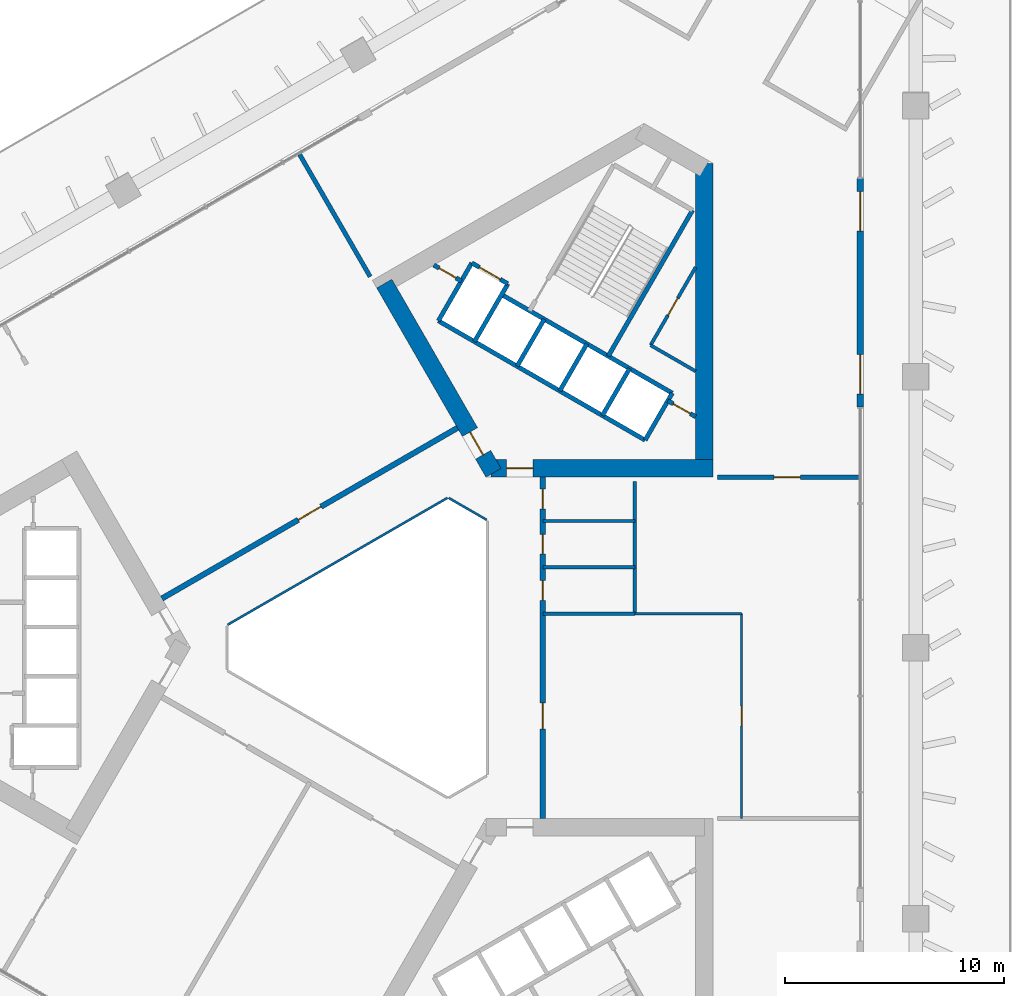
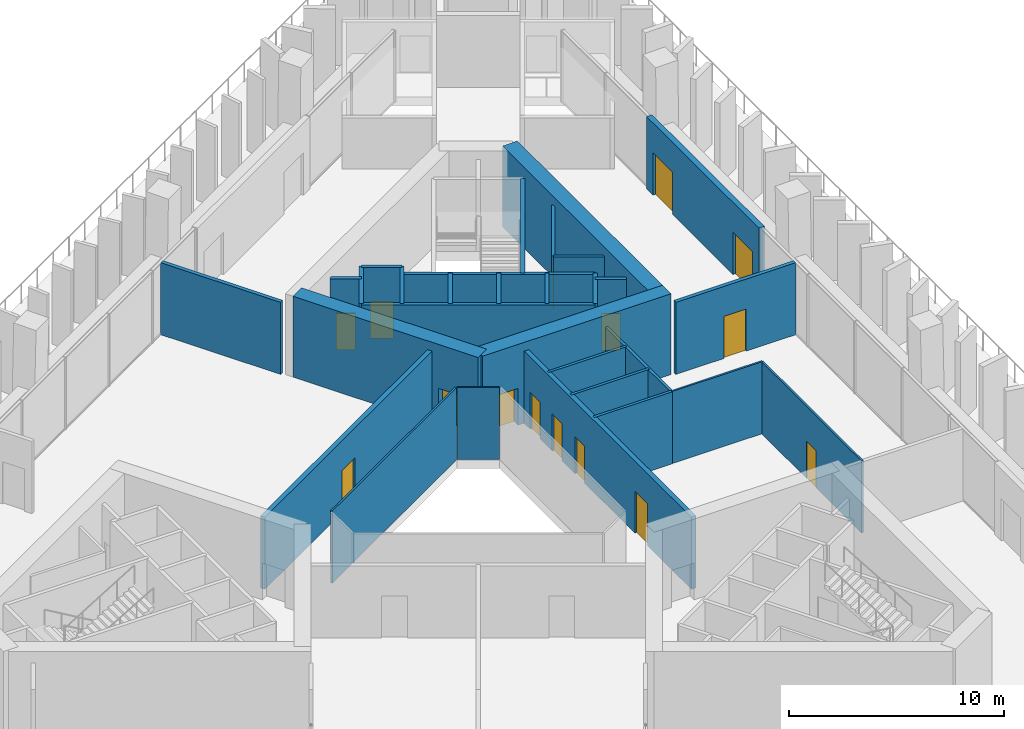
# One storey, part 18 of 31: 30 walls, 15 doors, 15 openings.
"""IFC4 building model written with IfcOpenShell, lengths in metres."""

from ifc_helpers import new_model, si_unit, direction, frame, frame_2d, origin, place, context, subcontext, project, spatial, rectangle, extrude, material, layer, layer_set, type_object, element, fill, save


model = new_model("IFC4")

# Units and contexts
model_context = context("Model", 3, precision=1e-05, world=origin(), true_north=direction((0.0, 1.0)))
body_context = subcontext(model_context, "Body", "Model", "MODEL_VIEW")
ifc_project = project(units=[si_unit("LENGTHUNIT", "METRE"), si_unit("AREAUNIT", "SQUARE_METRE"), si_unit("VOLUMEUNIT", "CUBIC_METRE"), si_unit("PLANEANGLEUNIT", "RADIAN"), si_unit("MASSUNIT", "GRAM", prefix="KILO")], contexts=[model_context])

# Site, building, storey
site_placement = place(None, origin())
site = spatial("IfcSite", under=ifc_project, at=site_placement, CompositionType="ELEMENT")
building_placement = place(site_placement, origin())
building = spatial("IfcBuilding", under=site, at=building_placement, Name="Jabali Bay Hotel Tower and Convention Centre", CompositionType="ELEMENT")
storey_placement = place(building_placement, frame((0.0, 0.0, 25.39990234375)))
storey = spatial("IfcBuildingStorey", under=building, at=storey_placement, Name="L04", CompositionType="ELEMENT", Elevation=25.39990234375)

# Walls
ifc_material_1 = material(Name="Fire-resistant glazing", Category="glass")
ifc_layer_1 = layer(ifc_material_1, 0.10009765625)
ifc_layer_set_1 = layer_set([ifc_layer_1], Name="Fire-resistant glazing")
wall_type_1 = type_object("IfcWallType", Name="Atrium glazed screen 100", PredefinedType="PARTITIONING", material=ifc_layer_set_1)
wall_1_placement = place(storey_placement, frame((79.530029296875, 85.84619140625, 0.0), z_axis=(0.0, 0.0, 1.0), x_axis=(-0.866041268327, 0.499972520799, 0.0)))
element("IfcWall", 1, at=wall_1_placement, inside=storey, type_object=wall_type_1, Name="Atrium screen 2 L04", PredefinedType="PARTITIONING", context=body_context, shape_type="SweptSolid", body=[
    extrude(rectangle(XDim=2.0, YDim=0.10009765625, at=frame_2d((1.0, 0.0))), origin(), (0.0, 0.0, 1.0), 4.10009765625),
])
wall_2_placement = place(storey_placement, frame((77.738037109375, 86.84619140625, 0.0), z_axis=(0.0, 0.0, 1.0), x_axis=(-0.866026658274, -0.499997827154, 0.0)))
element("IfcWall", 2, at=wall_2_placement, inside=storey, type_object=wall_type_1, Name="Atrium screen 3 L04", PredefinedType="PARTITIONING", context=body_context, shape_type="SweptSolid", body=[
    extrude(rectangle(XDim=11.58837890625, YDim=0.10009765625, at=frame_2d((5.794189453125, 0.0))), origin(), (0.0, 0.0, 1.0), 4.10009765625),
])

# Wall, opening, door
ifc_material_2 = material(Name="Concrete C40", Category="concrete")
ifc_layer_2 = layer(ifc_material_2, 0.199951171875)
ifc_layer_set_2 = layer_set([ifc_layer_2], Name="Concrete C40")
wall_type_2 = type_object("IfcWallType", Name="Core partition wall 200", PredefinedType="PARTITIONING", material=ifc_layer_set_2)
wall_3_placement = place(storey_placement, frame((89.080078125, 90.553955078125, 0.0), z_axis=(0.0, 0.0, 1.0), x_axis=(-0.866022048785, 0.500005810984, 0.0)))
wall_3 = element("IfcWall", 3, at=wall_3_placement, inside=storey, type_object=wall_type_2, Name="Core wall 1.11 L04", PredefinedType="PARTITIONING", context=body_context, shape_type="SweptSolid", body=[
    extrude(rectangle(XDim=1.466796875, YDim=0.199951171875, at=frame_2d((0.7333984375, 0.0))), origin(), (0.0, 0.0, 1.0), 4.10009765625),
])
opening_1_placement = place(wall_3_placement, frame((0.283447265625, 0.0, 0.0)))
opening_1 = element("IfcOpeningElement", 4, at=opening_1_placement, cuts=wall_3, Name="Opening D189", PredefinedType="OPENING", context=body_context, shape_type="SweptSolid", body=[
    extrude(rectangle(XDim=0.89990234375, YDim=2.10009765625, at=frame_2d((0.449951171875, 1.050048828125))), frame((0.0, 0.1103515625, 0.0), z_axis=(0.0, -1.0, 0.0), x_axis=(1.0, 0.0, 0.0)), (0.0, 0.0, 1.0), 0.220947265625),
])
ifc_material_3 = material(Name="Fire-rated steel door", Category="steel")
door_type_1 = type_object("IfcDoorType", Name="Vestibule fire door 900 x 2100", OperationType="NOTDEFINED", PredefinedType="NOTDEFINED", material=ifc_material_3)
door_1_placement = place(opening_1_placement, origin())
door_1 = element("IfcDoor", 5, at=door_1_placement, inside=storey, type_object=door_type_1, Name="Vestibule fire door D189", OperationType="SINGLE_SWING_LEFT", OverallHeight=2.10009765625, OverallWidth=0.89990234375, PredefinedType="NOTDEFINED", context=body_context, shape_type="SweptSolid", body=[
    extrude(rectangle(XDim=0.89990234375, YDim=2.10009765625, at=frame_2d((0.449951171875, 1.050048828125))), frame((0.0, 0.02490234375, 0.0), z_axis=(0.0, -1.0, 0.0), x_axis=(1.0, 0.0, 0.0)), (0.0, 0.0, 1.0), 0.050048828125),
])
fill(opening_1, door_1)

wall_4_placement = place(storey_placement, frame((78.380126953125, 96.754638671875, 0.0), z_axis=(0.0, 0.0, 1.0), x_axis=(-0.866003949776, 0.500037157592, 0.0)))
wall_4 = element("IfcWall", 6, at=wall_4_placement, inside=storey, type_object=wall_type_2, Name="Core wall 1.12 L04", PredefinedType="PARTITIONING", context=body_context, shape_type="SweptSolid", body=[
    extrude(rectangle(XDim=1.455078125, YDim=0.199951171875, at=frame_2d((0.7275390625, 0.0))), origin(), (0.0, 0.0, 1.0), 4.10009765625),
])
opening_2_placement = place(wall_4_placement, frame((0.277587890625, 0.0, 0.0)))
opening_2 = element("IfcOpeningElement", 7, at=opening_2_placement, cuts=wall_4, Name="Opening D188", PredefinedType="OPENING", context=body_context, shape_type="SweptSolid", body=[
    extrude(rectangle(XDim=0.89990234375, YDim=2.10009765625, at=frame_2d((0.449951171875, 1.050048828125))), frame((0.0, 0.1103515625, 0.0), z_axis=(0.0, -1.0, 0.0), x_axis=(1.0, 0.0, 0.0)), (0.0, 0.0, 1.0), 0.220947265625),
])
door_2_placement = place(opening_2_placement, origin())
door_2 = element("IfcDoor", 8, at=door_2_placement, inside=storey, type_object=door_type_1, Name="Vestibule fire door D188", OperationType="SINGLE_SWING_LEFT", OverallHeight=2.10009765625, OverallWidth=0.89990234375, PredefinedType="NOTDEFINED", context=body_context, shape_type="SweptSolid", body=[
    extrude(rectangle(XDim=0.89990234375, YDim=2.10009765625, at=frame_2d((0.449951171875, 1.050048828125))), frame((0.0, 0.02490234375, 0.0), z_axis=(0.0, -1.0, 0.0), x_axis=(1.0, 0.0, 0.0)), (0.0, 0.0, 1.0), 0.050048828125),
])
fill(opening_2, door_2)

ifc_material_4 = material(Name="Fire-rated board partition")
ifc_layer_3 = layer(ifc_material_4, 0.14990234375)
ifc_layer_set_3 = layer_set([ifc_layer_3], Name="Fire-rated board partition")
wall_type_3 = type_object("IfcWallType", Name="Core room partition 150", PredefinedType="PARTITIONING", material=ifc_layer_set_3)
wall_5_placement = place(storey_placement, frame((87.02099609375, 93.821044921875, 0.0), z_axis=(0.0, 0.0, 1.0), x_axis=(0.500028662945, 0.866008854593, 0.0)))
wall_5 = element("IfcWall", 9, at=wall_5_placement, inside=storey, type_object=wall_type_3, Name="Core wall 1.1 L04", PredefinedType="PARTITIONING", context=body_context, shape_type="SweptSolid", body=[
    extrude(rectangle(XDim=4.117919921875, YDim=0.14990234375, at=frame_2d((2.05908203125, 0.0))), origin(), (0.0, 0.0, 1.0), 4.10009765625),
])
opening_3_placement = place(wall_5_placement, frame((1.58154296875, 0.0, 0.0)))
opening_3 = element("IfcOpeningElement", 10, at=opening_3_placement, cuts=wall_5, Name="Opening D191", PredefinedType="OPENING", context=body_context, shape_type="SweptSolid", body=[
    extrude(rectangle(XDim=0.89990234375, YDim=2.10009765625, at=frame_2d((0.449951171875, 1.050048828125))), frame((0.0, 0.08544921875, 0.0), z_axis=(0.0, -1.0, 0.0), x_axis=(1.0, 0.0, 0.0)), (0.0, 0.0, 1.0), 0.1708984375),
])
door_type_2 = type_object("IfcDoorType", Name="Core room door 900 x 2100", OperationType="NOTDEFINED", PredefinedType="NOTDEFINED", material=ifc_material_3)
door_3_placement = place(opening_3_placement, origin())
door_3 = element("IfcDoor", 11, at=door_3_placement, inside=storey, type_object=door_type_2, Name="Core room door D191", OperationType="SINGLE_SWING_LEFT", OverallHeight=2.10009765625, OverallWidth=0.89990234375, PredefinedType="NOTDEFINED", context=body_context, shape_type="SweptSolid", body=[
    extrude(rectangle(XDim=0.89990234375, YDim=2.10009765625, at=frame_2d((0.449951171875, 1.050048828125))), frame((0.0, 0.02490234375, 0.0), z_axis=(0.0, -1.0, 0.0), x_axis=(1.0, 0.0, 0.0)), (0.0, 0.0, 1.0), 0.050048828125),
])
fill(opening_3, door_3)

# Walls
wall_6_placement = place(storey_placement, frame((89.080078125, 92.63232421875, 0.0), z_axis=(0.0, 0.0, 1.0), x_axis=(-0.866041951395, 0.499971337603, 0.0)))
element("IfcWall", 12, at=wall_6_placement, inside=storey, type_object=wall_type_3, Name="Core wall 1.15 L04", PredefinedType="PARTITIONING", context=body_context, shape_type="SweptSolid", body=[
    extrude(rectangle(XDim=2.377685546875, YDim=0.14990234375, at=frame_2d((1.18896484375, 0.0))), origin(), (0.0, 0.0, 1.0), 4.10009765625),
])
ifc_layer_4 = layer(ifc_material_2, 0.199951171875)
ifc_layer_set_4 = layer_set([ifc_layer_4], Name="Concrete C40")
wall_type_4 = type_object("IfcWallType", Name="Core stair wall 200", PredefinedType="SOLIDWALL", material=ifc_layer_set_4)
for number, where, z_axis, x_axis, name in (
    (13, (86.769775390625, 89.48583984375, 0.0), (0.0, 0.0, 1.0), (0.499961042966, 0.86604789447, 0.0), "Core wall 1.0 L04"),
    (14, (84.8212890625, 90.61083984375, 0.0), (0.0, 0.0, 1.0), (0.499961042966, 0.86604789447, 0.0), "Core wall 1.2 L04"),
):
    element("IfcWall", number, at=place(storey_placement, frame(where, z_axis=z_axis, x_axis=x_axis)), inside=storey, type_object=wall_type_4, Name=name, PredefinedType="SOLIDWALL", context=body_context, shape_type="SweptSolid", body=[
        extrude(rectangle(XDim=2.480224609375, YDim=0.199951171875, at=frame_2d((1.240234375, 0.0))), origin(), (0.0, 0.0, 1.0), 4.10009765625),
    ])
wall_7_placement = place(storey_placement, frame((85.0869140625, 93.3212890625, 0.0), z_axis=(0.0, 0.0, 1.0), x_axis=(0.500019787375, 0.866013979237, 0.0)))
element("IfcWall", 15, at=wall_7_placement, inside=storey, type_object=wall_type_4, Name="Core wall 1.3 L04", PredefinedType="SOLIDWALL", context=body_context, shape_type="SweptSolid", body=[
    extrude(rectangle(XDim=7.699951171875, YDim=0.199951171875, at=frame_2d((3.85009765625, 0.0))), origin(), (0.0, 0.0, 1.0), 4.10009765625),
])
for number, where, z_axis, x_axis, name in (
    (16, (82.872802734375, 91.73583984375, 0.0), (0.0, 0.0, 1.0), (0.499961042966, 0.86604789447, 0.0), "Core wall 1.4 L04"),
    (17, (80.924072265625, 92.86083984375, 0.0), (0.0, 0.0, 1.0), (0.499961042966, 0.86604789447, 0.0), "Core wall 1.6 L04"),
):
    element("IfcWall", number, at=place(storey_placement, frame(where, z_axis=z_axis, x_axis=x_axis)), inside=storey, type_object=wall_type_4, Name=name, PredefinedType="SOLIDWALL", context=body_context, shape_type="SweptSolid", body=[
        extrude(rectangle(XDim=2.480224609375, YDim=0.199951171875, at=frame_2d((1.240234375, 0.0))), origin(), (0.0, 0.0, 1.0), 4.10009765625),
    ])
for number, where, z_axis, x_axis, name in (
    (18, (78.9755859375, 93.98583984375, 0.0), (0.0, 0.0, 1.0), (0.499944174705, 0.866057632134, 0.0), "Core wall 1.8 L04"),
    (19, (77.330078125, 94.93603515625, 0.0), (0.0, 0.0, 1.0), (0.500038867431, 0.8660029625, 0.0), "Core wall 1.9 L04"),
):
    element("IfcWall", number, at=place(storey_placement, frame(where, z_axis=z_axis, x_axis=x_axis)), inside=storey, type_object=wall_type_4, Name=name, PredefinedType="SOLIDWALL", context=body_context, shape_type="SweptSolid", body=[
        extrude(rectangle(XDim=3.050048828125, YDim=0.199951171875, at=frame_2d((1.52490234375, 0.0))), origin(), (0.0, 0.0, 1.0), 4.10009765625),
    ])
wall_8_placement = place(storey_placement, frame((86.769775390625, 89.48583984375, 0.0), z_axis=(0.0, 0.0, 1.0), x_axis=(-0.86601811187, 0.500012629753, 0.0)))
element("IfcWall", 20, at=wall_8_placement, inside=storey, type_object=wall_type_4, Name="Core wall 1.10 L04", PredefinedType="SOLIDWALL", context=body_context, shape_type="SweptSolid", body=[
    extrude(rectangle(XDim=10.900146484375, YDim=0.199951171875, at=frame_2d((5.4501953125, 0.0))), origin(), (0.0, 0.0, 1.0), 4.10009765625),
])
wall_9_placement = place(storey_placement, frame((88.009765625, 91.6337890625, 0.0), z_axis=(0.0, 0.0, 1.0), x_axis=(-0.866024315419, 0.5000018851, 0.0)))
element("IfcWall", 21, at=wall_9_placement, inside=storey, type_object=wall_type_4, Name="Core wall 1.13 L04", PredefinedType="SOLIDWALL", context=body_context, shape_type="SweptSolid", body=[
    extrude(rectangle(XDim=9.0, YDim=0.199951171875, at=frame_2d((4.5, 0.0))), origin(), (0.0, 0.0, 1.0), 4.10009765625),
])

# Wall, opening, door
wall_10_placement = place(storey_placement, frame((80.50048828125, 96.62744140625, 0.0), z_axis=(0.0, 0.0, 1.0), x_axis=(-0.86601224135, 0.500022797313, 0.0)))
wall_10 = element("IfcWall", 22, at=wall_10_placement, inside=storey, type_object=wall_type_4, Name="Core wall 1.14 L04", PredefinedType="SOLIDWALL", context=body_context, shape_type="SweptSolid", body=[
    extrude(rectangle(XDim=1.89990234375, YDim=0.199951171875, at=frame_2d((0.949951171875, 0.0))), origin(), (0.0, 0.0, 1.0), 4.10009765625),
])
opening_4_placement = place(wall_10_placement, frame((0.39990234375, 0.0, 0.0)))
opening_4 = element("IfcOpeningElement", 23, at=opening_4_placement, cuts=wall_10, Name="Opening LD10-L04", PredefinedType="OPENING", context=body_context, shape_type="SweptSolid", body=[
    extrude(rectangle(XDim=1.10009765625, YDim=2.10009765625, at=frame_2d((0.550048828125, 1.050048828125))), frame((0.0, 0.1103515625, 0.0), z_axis=(0.0, -1.0, 0.0), x_axis=(1.0, 0.0, 0.0)), (0.0, 0.0, 1.0), 0.220947265625),
])
ifc_material_5 = material(Name="Stainless steel landing door", Category="steel")
door_type_3 = type_object("IfcDoorType", Name="Landing door 1100 x 2100", OperationType="NOTDEFINED", PredefinedType="NOTDEFINED", material=ifc_material_5)
door_4_placement = place(opening_4_placement, origin())
door_4 = element("IfcDoor", 24, at=door_4_placement, inside=storey, type_object=door_type_3, Name="Landing doors LD10-L04", OperationType="SLIDING_TO_RIGHT", OverallHeight=2.10009765625, OverallWidth=1.10009765625, PredefinedType="NOTDEFINED", context=body_context, shape_type="SweptSolid", body=[
    extrude(rectangle(XDim=1.10009765625, YDim=2.10009765625, at=frame_2d((0.550048828125, 1.050048828125))), frame((0.0, 0.02490234375, 0.0), z_axis=(0.0, -1.0, 0.0), x_axis=(1.0, 0.0, 0.0)), (0.0, 0.0, 1.0), 0.050048828125),
])
fill(opening_4, door_4)

ifc_material_6 = material(Name="Concrete C60", Category="concrete")
ifc_layer_5 = layer(ifc_material_6, 0.800048828125)
ifc_layer_set_5 = layer_set([ifc_layer_5], Name="Concrete C60")
wall_type_5 = type_object("IfcWallType", Name="Core wall 800", PredefinedType="SHEAR", material=ifc_layer_set_5)
wall_11_placement = place(storey_placement, frame((79.73095703125, 88.1943359375, 0.0), z_axis=(0.0, 0.0, 1.0), x_axis=(1.0, 0.0, 0.0)))
wall_11 = element("IfcWall", 25, at=wall_11_placement, inside=storey, type_object=wall_type_5, Name="Core wall 2.1 L04", PredefinedType="SHEAR", context=body_context, shape_type="SweptSolid", body=[
    extrude(rectangle(XDim=10.14892578125, YDim=0.800048828125, at=frame_2d((5.074462890625, 0.0))), origin(), (0.0, 0.0, 1.0), 4.60009765625),
])
opening_5_placement = place(wall_11_placement, frame((0.718994140625, 0.0, 0.0)))
opening_5 = element("IfcOpeningElement", 26, at=opening_5_placement, cuts=wall_11, Name="Opening D186", PredefinedType="OPENING", context=body_context, shape_type="SweptSolid", body=[
    extrude(rectangle(XDim=1.199951171875, YDim=2.10009765625, at=frame_2d((0.60009765625, 1.050048828125))), frame((0.0, 0.41064453125, 0.0), z_axis=(0.0, -1.0, 0.0), x_axis=(1.0, 0.0, 0.0)), (0.0, 0.0, 1.0), 0.821044921875),
])
door_type_4 = type_object("IfcDoorType", Name="Corridor end fire door 1200 x 2100", OperationType="NOTDEFINED", PredefinedType="NOTDEFINED", material=ifc_material_3)
door_5_placement = place(opening_5_placement, origin())
door_5 = element("IfcDoor", 27, at=door_5_placement, inside=storey, type_object=door_type_4, Name="Corridor end fire door D186", OperationType="SINGLE_SWING_RIGHT", OverallHeight=2.10009765625, OverallWidth=1.199951171875, PredefinedType="NOTDEFINED", context=body_context, shape_type="SweptSolid", body=[
    extrude(rectangle(XDim=1.199951171875, YDim=2.10009765625, at=frame_2d((0.60009765625, 1.050048828125))), frame((0.0, 0.02490234375, 0.0), z_axis=(0.0, -1.0, 0.0), x_axis=(1.0, 0.0, 0.0)), (0.0, 0.0, 1.0), 0.050048828125),
])
fill(opening_5, door_5)

# Wall
wall_12_placement = place(storey_placement, frame((89.47998046875, 88.1943359375, 0.0), z_axis=(0.0, 0.0, 1.0), x_axis=(0.0, 1.0, 0.0)))
element("IfcWall", 28, at=wall_12_placement, inside=storey, type_object=wall_type_5, Name="Core wall 2.2 L04", PredefinedType="SHEAR", context=body_context, shape_type="SweptSolid", body=[
    extrude(rectangle(XDim=13.933349609375, YDim=0.800048828125, at=frame_2d((6.966796875, 0.0))), origin(), (0.0, 0.0, 1.0), 4.60009765625),
])

# Wall, opening, door
wall_13_placement = place(storey_placement, frame((74.8564453125, 96.63720703125, 0.0), z_axis=(0.0, 0.0, 1.0), x_axis=(0.499993500917, -0.866029155999, 0.0)))
wall_13 = element("IfcWall", 29, at=wall_13_placement, inside=storey, type_object=wall_type_5, Name="Core wall 2.5 L04", PredefinedType="SHEAR", context=body_context, shape_type="SweptSolid", body=[
    extrude(rectangle(XDim=9.980224609375, YDim=0.800048828125, at=frame_2d((4.990234375, 0.0))), origin(), (0.0, 0.0, 1.0), 4.60009765625),
])
opening_6_placement = place(wall_13_placement, frame((7.830078125, 0.0, 0.0)))
opening_6 = element("IfcOpeningElement", 30, at=opening_6_placement, cuts=wall_13, Name="Opening D187", PredefinedType="OPENING", context=body_context, shape_type="SweptSolid", body=[
    extrude(rectangle(XDim=1.199951171875, YDim=2.10009765625, at=frame_2d((0.60009765625, 1.050048828125))), frame((0.0, 0.41064453125, 0.0), z_axis=(0.0, -1.0, 0.0), x_axis=(1.0, 0.0, 0.0)), (0.0, 0.0, 1.0), 0.821044921875),
])
door_6_placement = place(opening_6_placement, origin())
door_6 = element("IfcDoor", 31, at=door_6_placement, inside=storey, type_object=door_type_4, Name="Corridor end fire door D187", OperationType="SINGLE_SWING_LEFT", OverallHeight=2.10009765625, OverallWidth=1.199951171875, PredefinedType="NOTDEFINED", context=body_context, shape_type="SweptSolid", body=[
    extrude(rectangle(XDim=1.199951171875, YDim=2.10009765625, at=frame_2d((0.60009765625, 1.050048828125))), frame((0.0, 0.02490234375, 0.0), z_axis=(0.0, -1.0, 0.0), x_axis=(1.0, 0.0, 0.0)), (0.0, 0.0, 1.0), 0.050048828125),
])
fill(opening_6, door_6)

# Wall, openings, doors
ifc_layer_6 = layer(ifc_material_6, 0.25)
ifc_layer_set_6 = layer_set([ifc_layer_6], Name="Concrete C60")
wall_type_6 = type_object("IfcWallType", Name="Corridor wall 250", PredefinedType="SHEAR", material=ifc_layer_set_6)
wall_14_placement = place(storey_placement, frame((82.10009765625, 72.205810546875, 0.0), z_axis=(0.0, 0.0, 1.0), x_axis=(0.0, 1.0, 0.0)))
wall_14 = element("IfcWall", 32, at=wall_14_placement, inside=storey, type_object=wall_type_6, Name="Corridor wall 1 L04", PredefinedType="SHEAR", context=body_context, shape_type="SweptSolid", body=[
    extrude(rectangle(XDim=15.58837890625, YDim=0.25, at=frame_2d((7.794189453125, 0.0))), origin(), (0.0, 0.0, 1.0), 4.10009765625),
])
opening_7_placement = place(wall_14_placement, frame((4.076416015625, 0.0, 0.0)))
opening_7 = element("IfcOpeningElement", 33, at=opening_7_placement, cuts=wall_14, Name="Opening 0401", PredefinedType="OPENING", context=body_context, shape_type="SweptSolid", body=[
    extrude(rectangle(XDim=1.199951171875, YDim=2.39990234375, at=frame_2d((0.60009765625, 1.199951171875))), frame((0.0, 0.135498046875, 0.0), z_axis=(0.0, -1.0, 0.0), x_axis=(1.0, 0.0, 0.0)), (0.0, 0.0, 1.0), 0.27099609375),
])
opening_8_placement = place(wall_14_placement, frame((9.9619140625, 0.0, 0.0)))
opening_8 = element("IfcOpeningElement", 34, at=opening_8_placement, cuts=wall_14, Name="Opening 0403", PredefinedType="OPENING", context=body_context, shape_type="SweptSolid", body=[
    extrude(rectangle(XDim=0.89990234375, YDim=2.10009765625, at=frame_2d((0.449951171875, 1.050048828125))), frame((0.0, 0.135498046875, 0.0), z_axis=(0.0, -1.0, 0.0), x_axis=(1.0, 0.0, 0.0)), (0.0, 0.0, 1.0), 0.27099609375),
])
opening_9_placement = place(wall_14_placement, frame((12.07958984375, 0.0, 0.0)))
opening_9 = element("IfcOpeningElement", 35, at=opening_9_placement, cuts=wall_14, Name="Opening 0404", PredefinedType="OPENING", context=body_context, shape_type="SweptSolid", body=[
    extrude(rectangle(XDim=0.89990234375, YDim=2.10009765625, at=frame_2d((0.449951171875, 1.050048828125))), frame((0.0, 0.135498046875, 0.0), z_axis=(0.0, -1.0, 0.0), x_axis=(1.0, 0.0, 0.0)), (0.0, 0.0, 1.0), 0.27099609375),
])
opening_10_placement = place(wall_14_placement, frame((14.138427734375, 0.0, 0.0)))
opening_10 = element("IfcOpeningElement", 36, at=opening_10_placement, cuts=wall_14, Name="Opening 0405", PredefinedType="OPENING", context=body_context, shape_type="SweptSolid", body=[
    extrude(rectangle(XDim=0.89990234375, YDim=2.10009765625, at=frame_2d((0.449951171875, 1.050048828125))), frame((0.0, 0.135498046875, 0.0), z_axis=(0.0, -1.0, 0.0), x_axis=(1.0, 0.0, 0.0)), (0.0, 0.0, 1.0), 0.27099609375),
])
ifc_material_7 = material(Name="Timber", Category="wood")
door_type_5 = type_object("IfcDoorType", Name="Accessible en-suite door 900 x 2100", OperationType="NOTDEFINED", PredefinedType="NOTDEFINED", material=ifc_material_7)
door_7_placement = place(opening_10_placement, origin())
door_7 = element("IfcDoor", 37, at=door_7_placement, inside=storey, type_object=door_type_5, Name="Door 0405", OperationType="SINGLE_SWING_RIGHT", OverallHeight=2.10009765625, OverallWidth=0.89990234375, PredefinedType="NOTDEFINED", context=body_context, shape_type="SweptSolid", body=[
    extrude(rectangle(XDim=0.89990234375, YDim=2.10009765625, at=frame_2d((0.449951171875, 1.050048828125))), frame((0.0, 0.02490234375, 0.0), z_axis=(0.0, -1.0, 0.0), x_axis=(1.0, 0.0, 0.0)), (0.0, 0.0, 1.0), 0.050048828125),
])
fill(opening_10, door_7)
door_type_6 = type_object("IfcDoorType", Name="Internal door 900 x 2100", OperationType="NOTDEFINED", PredefinedType="NOTDEFINED", material=ifc_material_7)
door_8_placement = place(opening_8_placement, origin())
door_8 = element("IfcDoor", 38, at=door_8_placement, inside=storey, type_object=door_type_6, Name="Door 0403", OperationType="SINGLE_SWING_RIGHT", OverallHeight=2.10009765625, OverallWidth=0.89990234375, PredefinedType="NOTDEFINED", context=body_context, shape_type="SweptSolid", body=[
    extrude(rectangle(XDim=0.89990234375, YDim=2.10009765625, at=frame_2d((0.449951171875, 1.050048828125))), frame((0.0, 0.02490234375, 0.0), z_axis=(0.0, -1.0, 0.0), x_axis=(1.0, 0.0, 0.0)), (0.0, 0.0, 1.0), 0.050048828125),
])
fill(opening_8, door_8)
door_9_placement = place(opening_9_placement, origin())
door_9 = element("IfcDoor", 39, at=door_9_placement, inside=storey, type_object=door_type_6, Name="Door 0404", OperationType="SINGLE_SWING_RIGHT", OverallHeight=2.10009765625, OverallWidth=0.89990234375, PredefinedType="NOTDEFINED", context=body_context, shape_type="SweptSolid", body=[
    extrude(rectangle(XDim=0.89990234375, YDim=2.10009765625, at=frame_2d((0.449951171875, 1.050048828125))), frame((0.0, 0.02490234375, 0.0), z_axis=(0.0, -1.0, 0.0), x_axis=(1.0, 0.0, 0.0)), (0.0, 0.0, 1.0), 0.050048828125),
])
fill(opening_9, door_9)
door_type_7 = type_object("IfcDoorType", Name="Public room door 1200 x 2400", OperationType="NOTDEFINED", PredefinedType="NOTDEFINED", material=ifc_material_7)
door_10_placement = place(opening_7_placement, origin())
door_10 = element("IfcDoor", 40, at=door_10_placement, inside=storey, type_object=door_type_7, Name="Door 0401", OperationType="SINGLE_SWING_LEFT", OverallHeight=2.39990234375, OverallWidth=1.199951171875, PredefinedType="NOTDEFINED", context=body_context, shape_type="SweptSolid", body=[
    extrude(rectangle(XDim=1.199951171875, YDim=2.39990234375, at=frame_2d((0.60009765625, 1.199951171875))), frame((0.0, 0.02490234375, 0.0), z_axis=(0.0, -1.0, 0.0), x_axis=(1.0, 0.0, 0.0)), (0.0, 0.0, 1.0), 0.050048828125),
])
fill(opening_7, door_10)

# Wall, opening, door
wall_15_placement = place(storey_placement, frame((78.199951171875, 90.0458984375, 0.0), z_axis=(0.0, 0.0, 1.0), x_axis=(-0.866026492143, -0.499998114903, 0.0)))
wall_15 = element("IfcWall", 41, at=wall_15_placement, inside=storey, type_object=wall_type_6, Name="Corridor wall 2 L04", PredefinedType="SHEAR", context=body_context, shape_type="SweptSolid", body=[
    extrude(rectangle(XDim=15.58837890625, YDim=0.25, at=frame_2d((7.794189453125, 0.0))), origin(), (0.0, 0.0, 1.0), 4.10009765625),
])
opening_11_placement = place(wall_15_placement, frame((7.194091796875, 0.0, 0.0)))
opening_11 = element("IfcOpeningElement", 42, at=opening_11_placement, cuts=wall_15, Name="Opening 0406", PredefinedType="OPENING", context=body_context, shape_type="SweptSolid", body=[
    extrude(rectangle(XDim=1.199951171875, YDim=2.39990234375, at=frame_2d((0.60009765625, 1.199951171875))), frame((0.0, 0.135498046875, 0.0), z_axis=(0.0, -1.0, 0.0), x_axis=(1.0, 0.0, 0.0)), (0.0, 0.0, 1.0), 0.27099609375),
])
door_11_placement = place(opening_11_placement, origin())
door_11 = element("IfcDoor", 43, at=door_11_placement, inside=storey, type_object=door_type_7, Name="Door 0406", OperationType="SINGLE_SWING_RIGHT", OverallHeight=2.39990234375, OverallWidth=1.199951171875, PredefinedType="NOTDEFINED", context=body_context, shape_type="SweptSolid", body=[
    extrude(rectangle(XDim=1.199951171875, YDim=2.39990234375, at=frame_2d((0.60009765625, 1.199951171875))), frame((0.0, 0.02490234375, 0.0), z_axis=(0.0, -1.0, 0.0), x_axis=(1.0, 0.0, 0.0)), (0.0, 0.0, 1.0), 0.050048828125),
])
fill(opening_11, door_11)

# Wall, openings, doors
ifc_layer_7 = layer(ifc_material_2, 0.300048828125)
ifc_layer_set_7 = layer_set([ifc_layer_7], Name="Concrete C40")
wall_type_7 = type_object("IfcWallType", Name="External wall 300", PredefinedType="SOLIDWALL", material=ifc_layer_set_7)
wall_16_placement = place(storey_placement, frame((96.5927734375, 101.436767578125, 0.0), z_axis=(0.0, 0.0, 1.0), x_axis=(0.0, -1.0, 0.0)))
wall_16 = element("IfcWall", 44, at=wall_16_placement, inside=storey, type_object=wall_type_7, Name="External wall east face L04", PredefinedType="SOLIDWALL", context=body_context, shape_type="SweptSolid", body=[
    extrude(rectangle(XDim=10.444580078125, YDim=0.300048828125, at=frame_2d((5.22216796875, 0.0))), origin(), (0.0, 0.0, 1.0), 4.10009765625),
])
opening_12_placement = place(wall_16_placement, frame((8.044677734375, 0.0, 0.0)))
opening_12 = element("IfcOpeningElement", 45, at=opening_12_placement, cuts=wall_16, Name="Opening ED1", PredefinedType="OPENING", context=body_context, shape_type="SweptSolid", body=[
    extrude(rectangle(XDim=1.800048828125, YDim=2.39990234375, at=frame_2d((0.89990234375, 1.199951171875))), frame((0.0, 0.16064453125, 0.0), z_axis=(0.0, -1.0, 0.0), x_axis=(1.0, 0.0, 0.0)), (0.0, 0.0, 1.0), 0.321044921875),
])
opening_13_placement = place(wall_16_placement, frame((0.60009765625, 0.0, 0.0)))
opening_13 = element("IfcOpeningElement", 46, at=opening_13_placement, cuts=wall_16, Name="Opening ED1", PredefinedType="OPENING", context=body_context, shape_type="SweptSolid", body=[
    extrude(rectangle(XDim=1.800048828125, YDim=2.39990234375, at=frame_2d((0.89990234375, 1.199951171875))), frame((0.0, 0.16064453125, 0.0), z_axis=(0.0, -1.0, 0.0), x_axis=(1.0, 0.0, 0.0)), (0.0, 0.0, 1.0), 0.321044921875),
])
ifc_material_8 = material(Name="Glass", Category="glass")
door_type_8 = type_object("IfcDoorType", Name="Terrace door 1800 x 2400", OperationType="NOTDEFINED", PredefinedType="NOTDEFINED", material=ifc_material_8)
door_12_placement = place(opening_12_placement, origin())
door_12 = element("IfcDoor", 47, at=door_12_placement, inside=storey, type_object=door_type_8, Name="Terrace door", OperationType="DOUBLE_DOOR_SINGLE_SWING", OverallHeight=2.39990234375, OverallWidth=1.800048828125, PredefinedType="NOTDEFINED", context=body_context, shape_type="SweptSolid", body=[
    extrude(rectangle(XDim=1.800048828125, YDim=2.39990234375, at=frame_2d((0.89990234375, 1.199951171875))), frame((0.0, 0.02490234375, 0.0), z_axis=(0.0, -1.0, 0.0), x_axis=(1.0, 0.0, 0.0)), (0.0, 0.0, 1.0), 0.050048828125),
])
fill(opening_12, door_12)
door_13_placement = place(opening_13_placement, origin())
door_13 = element("IfcDoor", 48, at=door_13_placement, inside=storey, type_object=door_type_8, Name="Terrace door", OperationType="DOUBLE_DOOR_SINGLE_SWING", OverallHeight=2.39990234375, OverallWidth=1.800048828125, PredefinedType="NOTDEFINED", context=body_context, shape_type="SweptSolid", body=[
    extrude(rectangle(XDim=1.800048828125, YDim=2.39990234375, at=frame_2d((0.89990234375, 1.199951171875))), frame((0.0, 0.02490234375, 0.0), z_axis=(0.0, -1.0, 0.0), x_axis=(1.0, 0.0, 0.0)), (0.0, 0.0, 1.0), 0.050048828125),
])
fill(opening_13, door_13)

# Wall, opening, door
ifc_material_9 = material(Name="Plasterboard on steel stud", Category="steel")
ifc_layer_8 = layer(ifc_material_9, 0.10009765625)
ifc_layer_set_8 = layer_set([ifc_layer_8], Name="Plasterboard on steel stud")
wall_type_8 = type_object("IfcWallType", Name="Partition 100 unit", PredefinedType="PARTITIONING", material=ifc_layer_set_8)
wall_17_placement = place(storey_placement, frame((91.178466796875, 72.205810546875, 0.0), z_axis=(0.0, 0.0, 1.0), x_axis=(0.0, 1.0, 0.0)))
wall_17 = element("IfcWall", 49, at=wall_17_placement, inside=storey, type_object=wall_type_8, Name="Partition P02 L04 001", PredefinedType="PARTITIONING", context=body_context, shape_type="SweptSolid", body=[
    extrude(rectangle(XDim=9.35205078125, YDim=0.10009765625, at=frame_2d((4.676025390625, 0.0))), origin(), (0.0, 0.0, 1.0), 4.10009765625),
])
opening_14_placement = place(wall_17_placement, frame((4.22607421875, 0.0, 0.0)))
opening_14 = element("IfcOpeningElement", 50, at=opening_14_placement, cuts=wall_17, Name="Opening 0402", PredefinedType="OPENING", context=body_context, shape_type="SweptSolid", body=[
    extrude(rectangle(XDim=0.89990234375, YDim=2.10009765625, at=frame_2d((0.449951171875, 1.050048828125))), frame((0.0, 0.060546875, 0.0), z_axis=(0.0, -1.0, 0.0), x_axis=(1.0, 0.0, 0.0)), (0.0, 0.0, 1.0), 0.12109375),
])
door_14_placement = place(opening_14_placement, origin())
door_14 = element("IfcDoor", 51, at=door_14_placement, inside=storey, type_object=door_type_6, Name="Door 0402", OperationType="SINGLE_SWING_LEFT", OverallHeight=2.10009765625, OverallWidth=0.89990234375, PredefinedType="NOTDEFINED", context=body_context, shape_type="SweptSolid", body=[
    extrude(rectangle(XDim=0.89990234375, YDim=2.10009765625, at=frame_2d((0.449951171875, 1.050048828125))), frame((0.0, 0.02490234375, 0.0), z_axis=(0.0, -1.0, 0.0), x_axis=(1.0, 0.0, 0.0)), (0.0, 0.0, 1.0), 0.050048828125),
])
fill(opening_14, door_14)

# Walls
wall_18_placement = place(storey_placement, frame((91.178466796875, 81.557861328125, 0.0), z_axis=(0.0, 0.0, 1.0), x_axis=(-1.0, 0.0, 0.0)))
element("IfcWall", 52, at=wall_18_placement, inside=storey, type_object=wall_type_8, Name="Partition P02 L04 002", PredefinedType="PARTITIONING", context=body_context, shape_type="SweptSolid", body=[
    extrude(rectangle(XDim=4.87841796875, YDim=0.10009765625, at=frame_2d((2.439208984375, 0.0))), origin(), (0.0, 0.0, 1.0), 4.10009765625),
])
ifc_layer_9 = layer(ifc_material_9, 0.14990234375)
ifc_layer_set_9 = layer_set([ifc_layer_9], Name="Plasterboard on steel stud")
wall_type_9 = type_object("IfcWallType", Name="Partition 150 wet", PredefinedType="PARTITIONING", material=ifc_layer_set_9)
wall_19_placement = place(storey_placement, frame((86.300048828125, 81.558837890625, 0.0), z_axis=(0.0, 0.0, 1.0), x_axis=(-1.0, 0.0, 0.0)))
element("IfcWall", 53, at=wall_19_placement, inside=storey, type_object=wall_type_9, Name="Partition P03 L04 003", PredefinedType="PARTITIONING", context=body_context, shape_type="SweptSolid", body=[
    extrude(rectangle(XDim=4.199951171875, YDim=0.14990234375, at=frame_2d((2.10009765625, 0.0))), origin(), (0.0, 0.0, 1.0), 4.10009765625),
])
wall_20_placement = place(storey_placement, frame((86.300048828125, 87.59521484375, 0.0), z_axis=(0.0, 0.0, 1.0), x_axis=(0.0, -1.0, 0.0)))
element("IfcWall", 54, at=wall_20_placement, inside=storey, type_object=wall_type_9, Name="Partition P03 L04 004", PredefinedType="PARTITIONING", context=body_context, shape_type="SweptSolid", body=[
    extrude(rectangle(XDim=6.036376953125, YDim=0.14990234375, at=frame_2d((3.01806640625, 0.0))), origin(), (0.0, 0.0, 1.0), 4.10009765625),
])
for number, where, z_axis, x_axis, name in (
    (55, (86.300048828125, 83.676513671875, 0.0), (0.0, 0.0, 1.0), (-1.0, 0.0, 0.0), "Partition P03 L04 007"),
    (56, (86.300048828125, 85.794189453125, 0.0), (0.0, 0.0, 1.0), (-1.0, 0.0, 0.0), "Partition P03 L04 008"),
):
    element("IfcWall", number, at=place(storey_placement, frame(where, z_axis=z_axis, x_axis=x_axis)), inside=storey, type_object=wall_type_9, Name=name, PredefinedType="PARTITIONING", context=body_context, shape_type="SweptSolid", body=[
        extrude(rectangle(XDim=4.199951171875, YDim=0.14990234375, at=frame_2d((2.10009765625, 0.0))), origin(), (0.0, 0.0, 1.0), 4.10009765625),
    ])

# Wall, opening, door
ifc_layer_10 = layer(ifc_material_9, 0.199951171875)
ifc_layer_set_10 = layer_set([ifc_layer_10], Name="Plasterboard on steel stud")
wall_type_10 = type_object("IfcWallType", Name="Partition 200 party", PredefinedType="PARTITIONING", material=ifc_layer_set_10)
wall_21_placement = place(storey_placement, frame((96.536865234375, 87.794189453125, 0.0), z_axis=(0.0, 0.0, 1.0), x_axis=(-1.0, 0.0, 0.0)))
wall_21 = element("IfcWall", 57, at=wall_21_placement, inside=storey, type_object=wall_type_10, Name="Partition P01 L04 005", PredefinedType="PARTITIONING", context=body_context, shape_type="SweptSolid", body=[
    extrude(rectangle(XDim=6.457763671875, YDim=0.199951171875, at=frame_2d((3.22900390625, 0.0))), origin(), (0.0, 0.0, 1.0), 4.10009765625),
])
opening_15_placement = place(wall_21_placement, frame((2.675048828125, 0.0, 0.0)))
opening_15 = element("IfcOpeningElement", 58, at=opening_15_placement, cuts=wall_21, Name="Opening 0411", PredefinedType="OPENING", context=body_context, shape_type="SweptSolid", body=[
    extrude(rectangle(XDim=1.199951171875, YDim=2.39990234375, at=frame_2d((0.60009765625, 1.199951171875))), frame((0.0, 0.1103515625, 0.0), z_axis=(0.0, -1.0, 0.0), x_axis=(1.0, 0.0, 0.0)), (0.0, 0.0, 1.0), 0.220947265625),
])
door_15_placement = place(opening_15_placement, origin())
door_15 = element("IfcDoor", 59, at=door_15_placement, inside=storey, type_object=door_type_7, Name="Door 0411", OperationType="SINGLE_SWING_LEFT", OverallHeight=2.39990234375, OverallWidth=1.199951171875, PredefinedType="NOTDEFINED", context=body_context, shape_type="SweptSolid", body=[
    extrude(rectangle(XDim=1.199951171875, YDim=2.39990234375, at=frame_2d((0.60009765625, 1.199951171875))), frame((0.0, 0.02490234375, 0.0), z_axis=(0.0, -1.0, 0.0), x_axis=(1.0, 0.0, 0.0)), (0.0, 0.0, 1.0), 0.050048828125),
])
fill(opening_15, door_15)

# Wall
wall_22_placement = place(storey_placement, frame((74.21044921875, 96.955810546875, 0.0), z_axis=(0.0, 0.0, 1.0), x_axis=(-0.500001702147, 0.866024421047, 0.0)))
element("IfcWall", 60, at=wall_22_placement, inside=storey, type_object=wall_type_10, Name="Partition P01 L04 010", PredefinedType="PARTITIONING", context=body_context, shape_type="SweptSolid", body=[
    extrude(rectangle(XDim=6.4580078125, YDim=0.199951171875, at=frame_2d((3.22900390625, 0.0))), origin(), (0.0, 0.0, 1.0), 4.10009765625),
])

save(model, "model.ifc")
